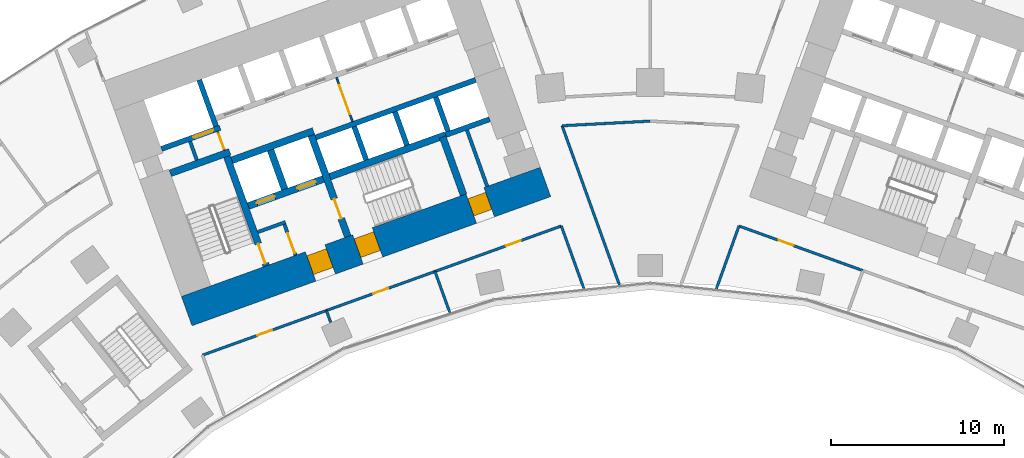
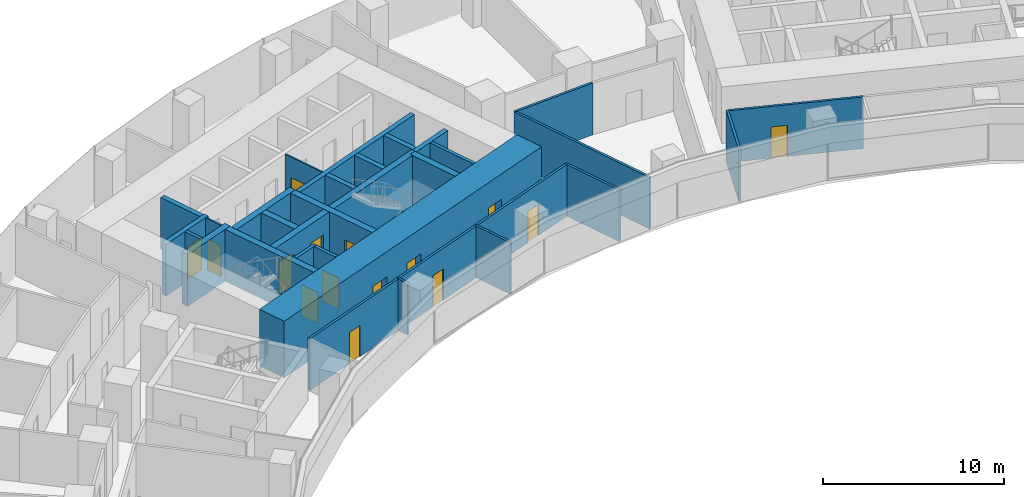
# One storey, part 15 of 21: 31 walls, 15 doors, 15 openings.
"""IFC4 building model written with IfcOpenShell, lengths in metres."""

from ifc_helpers import new_model, si_unit, direction, frame, frame_2d, origin, place, context, subcontext, project, spatial, rectangle, extrude, material, layer, layer_set, type_object, element, fill, save


model = new_model("IFC4")

# Units and contexts
model_context = context("Model", 3, precision=1e-05, world=origin(), true_north=direction((0.0, 1.0)))
body_context = subcontext(model_context, "Body", "Model", "MODEL_VIEW")
ifc_project = project(units=[si_unit("LENGTHUNIT", "METRE"), si_unit("AREAUNIT", "SQUARE_METRE"), si_unit("VOLUMEUNIT", "CUBIC_METRE"), si_unit("PLANEANGLEUNIT", "RADIAN"), si_unit("MASSUNIT", "GRAM", prefix="KILO")], contexts=[model_context])

# Site, building, storey
site_placement = place(None, origin())
site = spatial("IfcSite", under=ifc_project, at=site_placement, CompositionType="ELEMENT")
building_placement = place(site_placement, origin())
building = spatial("IfcBuilding", under=site, at=building_placement, Name="Stone Belt Terrace Tower", CompositionType="ELEMENT")
storey_placement = place(building_placement, frame((0.0, 0.0, 49.0)))
storey = spatial("IfcBuildingStorey", under=building, at=storey_placement, Name="L11", CompositionType="ELEMENT", Elevation=49.0)

# Wall, opening, door
ifc_material_1 = material(Name="Plasterboard partition")
ifc_layer_1 = layer(ifc_material_1, 0.10009765625)
ifc_layer_set_1 = layer_set([ifc_layer_1], Name="Core partition 100")
wall_type_1 = type_object("IfcWallType", Name="Core partition 100", PredefinedType="PARTITIONING", material=ifc_layer_set_1)
wall_1_placement = place(storey_placement, frame((-24.555908203125, 51.10400390625, 0.0), z_axis=(0.0, 0.0, 1.0), x_axis=(-0.338621735342, 0.94092258999, 0.0)))
wall_1 = element("IfcWall", 1, at=wall_1_placement, inside=storey, type_object=wall_type_1, Name="Core A wall", PredefinedType="PARTITIONING", context=body_context, shape_type="SweptSolid", body=[
    extrude(rectangle(XDim=1.14990234375, YDim=0.10009765625, at=frame_2d((0.574951171875, 0.0))), origin(), (0.0, 0.0, 1.0), 3.47998046875),
])
opening_1_placement = place(wall_1_placement, frame((0.050048828125, 0.0, 0.0)))
opening_1 = element("IfcOpeningElement", 2, at=opening_1_placement, cuts=wall_1, Name="Opening L11-C02", PredefinedType="OPENING", context=body_context, shape_type="SweptSolid", body=[
    extrude(rectangle(XDim=1.0, YDim=2.10009765625, at=frame_2d((0.5, 1.050048828125))), frame((0.0, 0.06005859375, 0.0), z_axis=(0.0, -1.0, 0.0), x_axis=(1.0, 0.0, 0.0)), (0.0, 0.0, 1.0), 0.1201171875),
])
ifc_material_2 = material(Name="Timber door leaf", Category="wood")
door_type_1 = type_object("IfcDoorType", Name="Core room door 1000", OperationType="SINGLE_SWING_LEFT", PredefinedType="DOOR", material=ifc_material_2)
door_1_placement = place(opening_1_placement, origin())
door_1 = element("IfcDoor", 3, at=door_1_placement, inside=storey, type_object=door_type_1, Name="Service lift lobby door core A", OperationType="SINGLE_SWING_LEFT", OverallHeight=2.10009765625, OverallWidth=1.0, PredefinedType="DOOR", context=body_context, shape_type="SweptSolid", body=[
    extrude(rectangle(XDim=1.0, YDim=2.10009765625, at=frame_2d((0.5, 1.050048828125))), frame((0.0, 0.02490234375, 0.0), z_axis=(0.0, -1.0, 0.0), x_axis=(1.0, 0.0, 0.0)), (0.0, 0.0, 1.0), 0.050048828125),
])
fill(opening_1, door_1)

wall_2_placement = place(storey_placement, frame((-17.17724609375, 52.749755859375, 0.0), z_axis=(0.0, 0.0, 1.0), x_axis=(-0.338546555931, 0.940949642365, 0.0)))
wall_2 = element("IfcWall", 4, at=wall_2_placement, inside=storey, type_object=wall_type_1, Name="Core A wall", PredefinedType="PARTITIONING", context=body_context, shape_type="SweptSolid", body=[
    extrude(rectangle(XDim=2.699951171875, YDim=0.10009765625, at=frame_2d((1.35009765625, 0.0))), origin(), (0.0, 0.0, 1.0), 3.47998046875),
])
opening_2_placement = place(wall_2_placement, frame((0.449951171875, 0.0, 0.0)))
opening_2 = element("IfcOpeningElement", 5, at=opening_2_placement, cuts=wall_2, Name="Opening L11-C03", PredefinedType="OPENING", context=body_context, shape_type="SweptSolid", body=[
    extrude(rectangle(XDim=1.800048828125, YDim=2.10009765625, at=frame_2d((0.89990234375, 1.050048828125))), frame((0.0, 0.06005859375, 0.0), z_axis=(0.0, -1.0, 0.0), x_axis=(1.0, 0.0, 0.0)), (0.0, 0.0, 1.0), 0.1201171875),
])
ifc_material_3 = material(Name="Glazed aluminium door leaf", Category="aluminium")
door_type_2 = type_object("IfcDoorType", Name="Lift lobby entrance door 1800", OperationType="DOUBLE_DOOR_SINGLE_SWING", PredefinedType="DOOR", material=ifc_material_3)
door_2_placement = place(opening_2_placement, origin())
door_2 = element("IfcDoor", 6, at=door_2_placement, inside=storey, type_object=door_type_2, Name="Lift lobby double door core A", OperationType="DOUBLE_DOOR_SINGLE_SWING", OverallHeight=2.10009765625, OverallWidth=1.800048828125, PredefinedType="DOOR", context=body_context, shape_type="SweptSolid", body=[
    extrude(rectangle(XDim=1.800048828125, YDim=2.10009765625, at=frame_2d((0.89990234375, 1.050048828125))), frame((0.0, 0.02490234375, 0.0), z_axis=(0.0, -1.0, 0.0), x_axis=(1.0, 0.0, 0.0)), (0.0, 0.0, 1.0), 0.050048828125),
])
fill(opening_2, door_2)

# Wall, openings, doors
ifc_material_4 = material(Name="Concrete B80", Category="concrete")
ifc_layer_2 = layer(ifc_material_4, 1.800048828125)
ifc_layer_set_2 = layer_set([ifc_layer_2], Name="Core wall 1800 B80")
wall_type_2 = type_object("IfcWallType", Name="Core wall 1800 B80", PredefinedType="SHEAR", material=ifc_layer_set_2)
wall_3_placement = place(storey_placement, frame((-26.739501953125, 41.815673828125, 0.0), z_axis=(0.0, 0.0, 1.0), x_axis=(0.940921642213, 0.338624368902, 0.0)))
wall_3 = element("IfcWall", 7, at=wall_3_placement, inside=storey, type_object=wall_type_2, Name="Core A wall concave L11", PredefinedType="SHEAR", context=body_context, shape_type="SweptSolid", body=[
    extrude(rectangle(XDim=22.0, YDim=1.800048828125, at=frame_2d((11.0, 0.0))), origin(), (0.0, 0.0, 1.0), 3.800048828125),
])
opening_3_placement = place(wall_3_placement, frame((7.60009765625, 0.0, 0.0)))
opening_3 = element("IfcOpeningElement", 8, at=opening_3_placement, cuts=wall_3, Name="Opening L11-C07", PredefinedType="OPENING", context=body_context, shape_type="SweptSolid", body=[
    extrude(rectangle(XDim=1.199951171875, YDim=2.10009765625, at=frame_2d((0.60009765625, 1.050048828125))), frame((0.0, 0.909912109375, 0.0), z_axis=(0.0, -1.0, 0.0), x_axis=(1.0, 0.0, 0.0)), (0.0, 0.0, 1.0), 1.820068359375),
])
opening_4_placement = place(wall_3_placement, frame((10.5, 0.0, 0.0)))
opening_4 = element("IfcOpeningElement", 9, at=opening_4_placement, cuts=wall_3, Name="Opening L11-C09", PredefinedType="OPENING", context=body_context, shape_type="SweptSolid", body=[
    extrude(rectangle(XDim=1.199951171875, YDim=2.10009765625, at=frame_2d((0.60009765625, 1.050048828125))), frame((0.0, 0.909912109375, 0.0), z_axis=(0.0, -1.0, 0.0), x_axis=(1.0, 0.0, 0.0)), (0.0, 0.0, 1.0), 1.820068359375),
])
opening_5_placement = place(wall_3_placement, frame((17.449951171875, 0.0, 0.0)))
opening_5 = element("IfcOpeningElement", 10, at=opening_5_placement, cuts=wall_3, Name="Opening L11-C11", PredefinedType="OPENING", context=body_context, shape_type="SweptSolid", body=[
    extrude(rectangle(XDim=1.10009765625, YDim=2.10009765625, at=frame_2d((0.550048828125, 1.050048828125))), frame((0.0, 0.909912109375, 0.0), z_axis=(0.0, -1.0, 0.0), x_axis=(1.0, 0.0, 0.0)), (0.0, 0.0, 1.0), 1.820068359375),
])
door_type_3 = type_object("IfcDoorType", Name="Core room door 1100", OperationType="SINGLE_SWING_LEFT", PredefinedType="DOOR", material=ifc_material_2)
door_3_placement = place(opening_5_placement, origin())
door_3 = element("IfcDoor", 11, at=door_3_placement, inside=storey, type_object=door_type_3, Name="Door to Communications riser room core A", OperationType="SINGLE_SWING_LEFT", OverallHeight=2.10009765625, OverallWidth=1.10009765625, PredefinedType="DOOR", context=body_context, shape_type="SweptSolid", body=[
    extrude(rectangle(XDim=1.10009765625, YDim=2.10009765625, at=frame_2d((0.550048828125, 1.050048828125))), frame((0.0, 0.60498046875, 0.0), z_axis=(0.0, -1.0, 0.0), x_axis=(1.0, 0.0, 0.0)), (0.0, 0.0, 1.0), 1.050048828125),
])
fill(opening_5, door_3)
ifc_material_5 = material(Name="Steel door leaf", Category="steel")
door_type_4 = type_object("IfcDoorType", Name="Fire-fighting lobby door 1200", OperationType="SINGLE_SWING_LEFT", PredefinedType="DOOR", material=ifc_material_5)
door_4_placement = place(opening_3_placement, origin())
door_4 = element("IfcDoor", 12, at=door_4_placement, inside=storey, type_object=door_type_4, Name="Fire-fighting lobby door core A", OperationType="SINGLE_SWING_LEFT", OverallHeight=2.10009765625, OverallWidth=1.199951171875, PredefinedType="DOOR", context=body_context, shape_type="SweptSolid", body=[
    extrude(rectangle(XDim=1.199951171875, YDim=2.10009765625, at=frame_2d((0.60009765625, 1.050048828125))), frame((0.0, 0.655029296875, 0.0), z_axis=(0.0, -1.0, 0.0), x_axis=(1.0, 0.0, 0.0)), (0.0, 0.0, 1.0), 1.14990234375),
])
fill(opening_3, door_4)
door_type_5 = type_object("IfcDoorType", Name="Stair door 1200", OperationType="SINGLE_SWING_LEFT", PredefinedType="DOOR", material=ifc_material_5)
door_5_placement = place(opening_4_placement, origin())
door_5 = element("IfcDoor", 13, at=door_5_placement, inside=storey, type_object=door_type_5, Name="Stair 2 exit door core A", OperationType="SINGLE_SWING_RIGHT", OverallHeight=2.10009765625, OverallWidth=1.199951171875, PredefinedType="DOOR", context=body_context, shape_type="SweptSolid", body=[
    extrude(rectangle(XDim=1.199951171875, YDim=2.10009765625, at=frame_2d((0.60009765625, 1.050048828125))), frame((0.0, 0.655029296875, 0.0), z_axis=(0.0, -1.0, 0.0), x_axis=(1.0, 0.0, 0.0)), (0.0, 0.0, 1.0), 1.14990234375),
])
fill(opening_4, door_5)

# Walls
ifc_layer_3 = layer(ifc_material_4, 0.39990234375)
ifc_layer_set_3 = layer_set([ifc_layer_3], Name="Fire-fighting lift shaft wall 400")
wall_type_3 = type_object("IfcWallType", Name="Fire-fighting lift shaft wall 400", PredefinedType="SHEAR", material=ifc_layer_set_3)
wall_4_placement = place(storey_placement, frame((-24.130615234375, 50.512939453125, 0.0), z_axis=(0.0, 0.0, 1.0), x_axis=(0.94091168377, 0.338652038744, 0.0)))
element("IfcWall", 14, at=wall_4_placement, inside=storey, type_object=wall_type_3, Name="Core A wall", PredefinedType="SHEAR", context=body_context, shape_type="SweptSolid", body=[
    extrude(rectangle(XDim=5.000244140625, YDim=0.39990234375, at=frame_2d((2.5, 0.0))), origin(), (0.0, 0.0, 1.0), 3.47998046875),
])
wall_5_placement = place(storey_placement, frame((-21.0859375, 48.845458984375, 0.0), z_axis=(0.0, 0.0, 1.0), x_axis=(-0.338629416206, 0.940919825745, 0.0)))
element("IfcWall", 15, at=wall_5_placement, inside=storey, type_object=wall_type_3, Name="Core A wall", PredefinedType="SHEAR", context=body_context, shape_type="SweptSolid", body=[
    extrude(rectangle(XDim=2.400146484375, YDim=0.39990234375, at=frame_2d((1.2001953125, 0.0))), origin(), (0.0, 0.0, 1.0), 3.47998046875),
])

# Wall, opening, door
ifc_layer_4 = layer(ifc_material_4, 0.300048828125)
ifc_layer_set_4 = layer_set([ifc_layer_4], Name="Lift shaft wall 300")
wall_type_4 = type_object("IfcWallType", Name="Lift shaft wall 300", PredefinedType="SHEAR", material=ifc_layer_set_4)
wall_6_placement = place(storey_placement, frame((-28.195068359375, 51.17578125, 0.0), z_axis=(0.0, 0.0, 1.0), x_axis=(0.940901243567, 0.338681044427, 0.0)))
wall_6 = element("IfcWall", 16, at=wall_6_placement, inside=storey, type_object=wall_type_4, Name="Core A wall", PredefinedType="SHEAR", context=body_context, shape_type="SweptSolid", body=[
    extrude(rectangle(XDim=3.599853515625, YDim=0.300048828125, at=frame_2d((1.7998046875, 0.0))), origin(), (0.0, 0.0, 1.0), 3.47998046875),
])
opening_6_placement = place(wall_6_placement, frame((1.969970703125, 0.0, 0.0)))
opening_6 = element("IfcOpeningElement", 17, at=opening_6_placement, cuts=wall_6, Name="Opening L11-LD09", PredefinedType="OPENING", context=body_context, shape_type="SweptSolid", body=[
    extrude(rectangle(XDim=1.199951171875, YDim=2.199951171875, at=frame_2d((0.60009765625, 1.10009765625))), frame((0.0, 0.159912109375, 0.0), z_axis=(0.0, -1.0, 0.0), x_axis=(1.0, 0.0, 0.0)), (0.0, 0.0, 1.0), 0.320068359375),
])
ifc_material_6 = material(Name="Stainless steel door leaf", Category="steel")
door_type_6 = type_object("IfcDoorType", Name="Landing door 1200", OperationType="SLIDING_TO_LEFT", PredefinedType="DOOR", material=ifc_material_6)
door_6_placement = place(opening_6_placement, origin())
door_6 = element("IfcDoor", 18, at=door_6_placement, inside=storey, type_object=door_type_6, Name="Landing door SV1 core A", OperationType="SLIDING_TO_LEFT", OverallHeight=2.199951171875, OverallWidth=1.199951171875, PredefinedType="DOOR", context=body_context, shape_type="SweptSolid", body=[
    extrude(rectangle(XDim=1.199951171875, YDim=2.199951171875, at=frame_2d((0.60009765625, 1.10009765625))), frame((0.0, 0.02490234375, 0.0), z_axis=(0.0, -1.0, 0.0), x_axis=(1.0, 0.0, 0.0)), (0.0, 0.0, 1.0), 0.050048828125),
])
fill(opening_6, door_6)

# Walls
wall_7_placement = place(storey_placement, frame((-25.046875, 52.46826171875, 0.0), z_axis=(0.0, 0.0, 1.0), x_axis=(-0.338549588058, 0.940948551423, 0.0)))
element("IfcWall", 19, at=wall_7_placement, inside=storey, type_object=wall_type_4, Name="Core A wall", PredefinedType="SHEAR", context=body_context, shape_type="SweptSolid", body=[
    extrude(rectangle(XDim=2.849853515625, YDim=0.300048828125, at=frame_2d((1.4248046875, 0.0))), origin(), (0.0, 0.0, 1.0), 3.47998046875),
])
wall_8_placement = place(storey_placement, frame((-19.29052734375, 51.829833984375, 0.0), z_axis=(0.0, 0.0, 1.0), x_axis=(0.940925833398, 0.338612722803, 0.0)))
element("IfcWall", 20, at=wall_8_placement, inside=storey, type_object=wall_type_4, Name="Core A wall", PredefinedType="SHEAR", context=body_context, shape_type="SweptSolid", body=[
    extrude(rectangle(XDim=9.7998046875, YDim=0.300048828125, at=frame_2d((4.89990234375, 0.0))), origin(), (0.0, 0.0, 1.0), 3.47998046875),
])
for number, where, z_axis, x_axis, name in (
    (21, (-16.38134765625, 50.53857421875, 0.0), (0.0, 0.0, 1.0), (-0.338681515556, 0.940901073982, 0.0), "Core A wall"),
    (22, (-14.029052734375, 51.38525390625, 0.0), (0.0, 0.0, 1.0), (-0.338681515556, 0.940901073982, 0.0), "Core A wall"),
):
    element("IfcWall", number, at=place(storey_placement, frame(where, z_axis=z_axis, x_axis=x_axis)), inside=storey, type_object=wall_type_4, Name=name, PredefinedType="SHEAR", context=body_context, shape_type="SweptSolid", body=[
        extrude(rectangle(XDim=2.050048828125, YDim=0.300048828125, at=frame_2d((1.02490234375, 0.0))), origin(), (0.0, 0.0, 1.0), 3.47998046875),
    ])
wall_9_placement = place(storey_placement, frame((-11.797119140625, 51.975830078125, 0.0), z_axis=(0.0, 0.0, 1.0), x_axis=(0.940910465161, 0.33865542451, 0.0)))
element("IfcWall", 23, at=wall_9_placement, inside=storey, type_object=wall_type_4, Name="Core A wall", PredefinedType="SHEAR", context=body_context, shape_type="SweptSolid", body=[
    extrude(rectangle(XDim=2.69970703125, YDim=0.300048828125, at=frame_2d((1.349853515625, 0.0))), origin(), (0.0, 0.0, 1.0), 3.47998046875),
])
wall_10_placement = place(storey_placement, frame((-11.659912109375, 52.184814453125, 0.0), z_axis=(0.0, 0.0, 1.0), x_axis=(-0.338670064856, 0.940905195634, 0.0)))
element("IfcWall", 24, at=wall_10_placement, inside=storey, type_object=wall_type_4, Name="Core A wall", PredefinedType="SHEAR", context=body_context, shape_type="SweptSolid", body=[
    extrude(rectangle(XDim=2.099853515625, YDim=0.300048828125, at=frame_2d((1.0498046875, 0.0))), origin(), (0.0, 0.0, 1.0), 3.47998046875),
])
ifc_material_7 = material(Name="Gypsum board partition")
ifc_layer_5 = layer(ifc_material_7, 0.14990234375)
ifc_layer_set_5 = layer_set([ifc_layer_5], Name="PARTITION 150 EI 60")
wall_type_5 = type_object("IfcWallType", Name="PARTITION 150 EI 60", PredefinedType="PARTITIONING", material=ifc_layer_set_5)
wall_11_placement = place(storey_placement, frame((-3.8193359375, 43.0986328125, 0.0), z_axis=(0.0, 0.0, 1.0), x_axis=(-0.338714989495, 0.940889024217, 0.0)))
element("IfcWall", 25, at=wall_11_placement, inside=storey, type_object=wall_type_5, Name="L11/wall/i006", PredefinedType="PARTITIONING", context=body_context, shape_type="SweptSolid", body=[
    extrude(rectangle(XDim=3.860595703125, YDim=0.14990234375, at=frame_2d((1.93017578125, 0.0))), origin(), (0.0, 0.0, 1.0), 3.47998046875),
])
wall_12_placement = place(storey_placement, frame((-5.0830078125, 52.514892578125, 0.0), z_axis=(0.0, 0.0, 1.0), x_axis=(0.338660235858, -0.940908733432, 0.0)))
element("IfcWall", 26, at=wall_12_placement, inside=storey, type_object=wall_type_5, Name="L11/wall/i008", PredefinedType="PARTITIONING", context=body_context, shape_type="SweptSolid", body=[
    extrude(rectangle(XDim=9.779052734375, YDim=0.14990234375, at=frame_2d((4.8896484375, 0.0))), origin(), (0.0, 0.0, 1.0), 3.47998046875),
])

# Wall, opening, door
wall_13_placement = place(storey_placement, frame((-18.6708984375, 41.85009765625, 0.0), z_axis=(0.0, 0.0, 1.0), x_axis=(-0.940898463148, -0.338688768702, 0.0)))
wall_13 = element("IfcWall", 27, at=wall_13_placement, inside=storey, type_object=wall_type_5, Name="L11/wall/i011", PredefinedType="PARTITIONING", context=body_context, shape_type="SweptSolid", body=[
    extrude(rectangle(XDim=7.603515625, YDim=0.14990234375, at=frame_2d((3.8017578125, 0.0))), origin(), (0.0, 0.0, 1.0), 3.47998046875),
])
opening_7_placement = place(wall_13_placement, frame((3.3515625, 0.0, 0.0)))
opening_7 = element("IfcOpeningElement", 28, at=opening_7_placement, cuts=wall_13, Name="Opening D-A3-01", PredefinedType="OPENING", context=body_context, shape_type="SweptSolid", body=[
    extrude(rectangle(XDim=0.89990234375, YDim=2.10009765625, at=frame_2d((0.449951171875, 1.050048828125))), frame((0.0, 0.0849609375, 0.0), z_axis=(0.0, -1.0, 0.0), x_axis=(1.0, 0.0, 0.0)), (0.0, 0.0, 1.0), 0.169921875),
])
door_type_7 = type_object("IfcDoorType", Name="OFFICE DOOR 900 X 2100", OperationType="NOTDEFINED", PredefinedType="DOOR", material=ifc_material_2)
door_7_placement = place(opening_7_placement, origin())
door_7 = element("IfcDoor", 29, at=door_7_placement, inside=storey, type_object=door_type_7, Name="L11/door/i01", OperationType="SINGLE_SWING_RIGHT", OverallHeight=2.10009765625, OverallWidth=0.89990234375, PredefinedType="DOOR", context=body_context, shape_type="SweptSolid", body=[
    extrude(rectangle(XDim=0.89990234375, YDim=2.10009765625, at=frame_2d((0.449951171875, 1.050048828125))), frame((0.0, 0.02490234375, 0.0), z_axis=(0.0, -1.0, 0.0), x_axis=(1.0, 0.0, 0.0)), (0.0, 0.0, 1.0), 0.050048828125),
])
fill(opening_7, door_7)

wall_14_placement = place(storey_placement, frame((-12.406982421875, 44.10400390625, 0.0), z_axis=(0.0, 0.0, 1.0), x_axis=(-0.940951787008, -0.338540595092, 0.0)))
wall_14 = element("IfcWall", 30, at=wall_14_placement, inside=storey, type_object=wall_type_5, Name="L11/wall/i012", PredefinedType="PARTITIONING", context=body_context, shape_type="SweptSolid", body=[
    extrude(rectangle(XDim=6.669921875, YDim=0.14990234375, at=frame_2d((3.3349609375, 0.0))), origin(), (0.0, 0.0, 1.0), 3.47998046875),
])
opening_8_placement = place(wall_14_placement, frame((2.885009765625, 0.0, 0.0)))
opening_8 = element("IfcOpeningElement", 31, at=opening_8_placement, cuts=wall_14, Name="Opening D-A3-02", PredefinedType="OPENING", context=body_context, shape_type="SweptSolid", body=[
    extrude(rectangle(XDim=0.89990234375, YDim=2.10009765625, at=frame_2d((0.449951171875, 1.050048828125))), frame((0.0, 0.0849609375, 0.0), z_axis=(0.0, -1.0, 0.0), x_axis=(1.0, 0.0, 0.0)), (0.0, 0.0, 1.0), 0.169921875),
])
door_8_placement = place(opening_8_placement, origin())
door_8 = element("IfcDoor", 32, at=door_8_placement, inside=storey, type_object=door_type_7, Name="L11/door/i02", OperationType="SINGLE_SWING_RIGHT", OverallHeight=2.10009765625, OverallWidth=0.89990234375, PredefinedType="DOOR", context=body_context, shape_type="SweptSolid", body=[
    extrude(rectangle(XDim=0.89990234375, YDim=2.10009765625, at=frame_2d((0.449951171875, 1.050048828125))), frame((0.0, 0.02490234375, 0.0), z_axis=(0.0, -1.0, 0.0), x_axis=(1.0, 0.0, 0.0)), (0.0, 0.0, 1.0), 0.050048828125),
])
fill(opening_8, door_8)

wall_15_placement = place(storey_placement, frame((-5.125, 46.72509765625, 0.0), z_axis=(0.0, 0.0, 1.0), x_axis=(-0.940921131887, -0.338625786921, 0.0)))
wall_15 = element("IfcWall", 33, at=wall_15_placement, inside=storey, type_object=wall_type_5, Name="L11/wall/i013", PredefinedType="PARTITIONING", context=body_context, shape_type="SweptSolid", body=[
    extrude(rectangle(XDim=7.751953125, YDim=0.14990234375, at=frame_2d((3.8759765625, 0.0))), origin(), (0.0, 0.0, 1.0), 3.47998046875),
])
opening_9_placement = place(wall_15_placement, frame((2.48828125, 0.0, 0.0)))
opening_9 = element("IfcOpeningElement", 34, at=opening_9_placement, cuts=wall_15, Name="Opening D-A3-03", PredefinedType="OPENING", context=body_context, shape_type="SweptSolid", body=[
    extrude(rectangle(XDim=0.89990234375, YDim=2.10009765625, at=frame_2d((0.449951171875, 1.050048828125))), frame((0.0, 0.0849609375, 0.0), z_axis=(0.0, -1.0, 0.0), x_axis=(1.0, 0.0, 0.0)), (0.0, 0.0, 1.0), 0.169921875),
])
door_9_placement = place(opening_9_placement, origin())
door_9 = element("IfcDoor", 35, at=door_9_placement, inside=storey, type_object=door_type_7, Name="L11/door/i03", OperationType="SINGLE_SWING_LEFT", OverallHeight=2.10009765625, OverallWidth=0.89990234375, PredefinedType="DOOR", context=body_context, shape_type="SweptSolid", body=[
    extrude(rectangle(XDim=0.89990234375, YDim=2.10009765625, at=frame_2d((0.449951171875, 1.050048828125))), frame((0.0, 0.02490234375, 0.0), z_axis=(0.0, -1.0, 0.0), x_axis=(1.0, 0.0, 0.0)), (0.0, 0.0, 1.0), 0.050048828125),
])
fill(opening_9, door_9)

# Walls
wall_16_placement = place(storey_placement, frame((-18.677001953125, 41.847900390625, 0.0), z_axis=(0.0, 0.0, 1.0), x_axis=(0.338755063211, -0.94087459693, 0.0)))
element("IfcWall", 36, at=wall_16_placement, inside=storey, type_object=wall_type_5, Name="L11/wall/i014", PredefinedType="PARTITIONING", context=body_context, shape_type="SweptSolid", body=[
    extrude(rectangle(XDim=0.728515625, YDim=0.14990234375, at=frame_2d((0.3642578125, 0.0))), origin(), (0.0, 0.0, 1.0), 3.47998046875),
])
wall_17_placement = place(storey_placement, frame((-12.4130859375, 44.10205078125, 0.0), z_axis=(0.0, 0.0, 1.0), x_axis=(0.338643961711, -0.940914590809, 0.0)))
element("IfcWall", 37, at=wall_17_placement, inside=storey, type_object=wall_type_5, Name="L11/wall/i015", PredefinedType="PARTITIONING", context=body_context, shape_type="SweptSolid", body=[
    extrude(rectangle(XDim=2.51904296875, YDim=0.14990234375, at=frame_2d((1.259521484375, 0.0))), origin(), (0.0, 0.0, 1.0), 3.47998046875),
])
wall_18_placement = place(storey_placement, frame((5.126953125, 46.73095703125, 0.0), z_axis=(0.0, 0.0, 1.0), x_axis=(-0.338714989495, -0.940889024217, 0.0)))
element("IfcWall", 38, at=wall_18_placement, inside=storey, type_object=wall_type_5, Name="L11/wall/i017", PredefinedType="PARTITIONING", context=body_context, shape_type="SweptSolid", body=[
    extrude(rectangle(XDim=3.860595703125, YDim=0.14990234375, at=frame_2d((1.93017578125, 0.0))), origin(), (0.0, 0.0, 1.0), 3.47998046875),
])

# Wall, opening, door
wall_19_placement = place(storey_placement, frame((12.279052734375, 44.14990234375, 0.0), z_axis=(0.0, 0.0, 1.0), x_axis=(-0.940898463148, 0.338688768702, 0.0)))
wall_19 = element("IfcWall", 39, at=wall_19_placement, inside=storey, type_object=wall_type_5, Name="L11/wall/i028", PredefinedType="PARTITIONING", context=body_context, shape_type="SweptSolid", body=[
    extrude(rectangle(XDim=7.603515625, YDim=0.14990234375, at=frame_2d((3.8017578125, 0.0))), origin(), (0.0, 0.0, 1.0), 3.47998046875),
])
opening_10_placement = place(wall_19_placement, frame((4.26708984375, 0.0, 0.0)))
opening_10 = element("IfcOpeningElement", 40, at=opening_10_placement, cuts=wall_19, Name="Opening D-A3-06", PredefinedType="OPENING", context=body_context, shape_type="SweptSolid", body=[
    extrude(rectangle(XDim=0.89990234375, YDim=2.10009765625, at=frame_2d((0.449951171875, 1.050048828125))), frame((0.0, 0.0849609375, 0.0), z_axis=(0.0, -1.0, 0.0), x_axis=(1.0, 0.0, 0.0)), (0.0, 0.0, 1.0), 0.169921875),
])
door_10_placement = place(opening_10_placement, origin())
door_10 = element("IfcDoor", 41, at=door_10_placement, inside=storey, type_object=door_type_7, Name="L11/door/i06", OperationType="SINGLE_SWING_RIGHT", OverallHeight=2.10009765625, OverallWidth=0.89990234375, PredefinedType="DOOR", context=body_context, shape_type="SweptSolid", body=[
    extrude(rectangle(XDim=0.89990234375, YDim=2.10009765625, at=frame_2d((0.449951171875, 1.050048828125))), frame((0.0, 0.02490234375, 0.0), z_axis=(0.0, -1.0, 0.0), x_axis=(1.0, 0.0, 0.0)), (0.0, 0.0, 1.0), 0.050048828125),
])
fill(opening_10, door_10)

# Walls
wall_20_placement = place(storey_placement, frame((0.0, 52.77490234375, 0.0), z_axis=(0.0, 0.0, 1.0), x_axis=(-0.99863382154, -0.052254095313, 0.0)))
element("IfcWall", 42, at=wall_20_placement, inside=storey, type_object=wall_type_5, Name="L11/wall/i083", PredefinedType="PARTITIONING", context=body_context, shape_type="SweptSolid", body=[
    extrude(rectangle(XDim=5.087890625, YDim=0.14990234375, at=frame_2d((2.5439453125, 0.0))), origin(), (0.0, 0.0, 1.0), 3.47998046875),
])
ifc_material_8 = material(Name="Concrete masonry block", Category="masonry")
ifc_layer_6 = layer(ifc_material_8, 0.199951171875)
ifc_layer_set_6 = layer_set([ifc_layer_6], Name="Rated lobby wall 200")
wall_type_6 = type_object("IfcWallType", Name="Rated lobby wall 200", PredefinedType="PARTITIONING", material=ifc_layer_set_6)
wall_21_placement = place(storey_placement, frame((-26.1552734375, 50.5283203125, 0.0), z_axis=(0.0, 0.0, 1.0), x_axis=(-0.338621735342, 0.94092258999, 0.0)))
element("IfcWall", 43, at=wall_21_placement, inside=storey, type_object=wall_type_6, Name="Core A wall", PredefinedType="PARTITIONING", context=body_context, shape_type="SweptSolid", body=[
    extrude(rectangle(XDim=1.14990234375, YDim=0.199951171875, at=frame_2d((0.574951171875, 0.0))), origin(), (0.0, 0.0, 1.0), 3.47998046875),
])
wall_22_placement = place(storey_placement, frame((-22.640625, 46.373046875, 0.0), z_axis=(0.0, 0.0, 1.0), x_axis=(0.940966110313, 0.338500781747, 0.0)))
element("IfcWall", 44, at=wall_22_placement, inside=storey, type_object=wall_type_6, Name="Core A wall", PredefinedType="PARTITIONING", context=body_context, shape_type="SweptSolid", body=[
    extrude(rectangle(XDim=1.699951171875, YDim=0.199951171875, at=frame_2d((0.85009765625, 0.0))), origin(), (0.0, 0.0, 1.0), 3.47998046875),
])

# Wall, opening, door
wall_23_placement = place(storey_placement, frame((-20.4580078125, 45.032958984375, 0.0), z_axis=(0.0, 0.0, 1.0), x_axis=(-0.338573865316, 0.940939816208, 0.0)))
wall_23 = element("IfcWall", 45, at=wall_23_placement, inside=storey, type_object=wall_type_6, Name="Core A wall", PredefinedType="PARTITIONING", context=body_context, shape_type="SweptSolid", body=[
    extrude(rectangle(XDim=1.900146484375, YDim=0.199951171875, at=frame_2d((0.9501953125, 0.0))), origin(), (0.0, 0.0, 1.0), 3.47998046875),
])
opening_11_placement = place(wall_23_placement, frame((0.14990234375, 0.0, 0.0)))
opening_11 = element("IfcOpeningElement", 46, at=opening_11_placement, cuts=wall_23, Name="Opening L11-C06", PredefinedType="OPENING", context=body_context, shape_type="SweptSolid", body=[
    extrude(rectangle(XDim=1.199951171875, YDim=2.10009765625, at=frame_2d((0.60009765625, 1.050048828125))), frame((0.0, 0.10986328125, 0.0), z_axis=(0.0, -1.0, 0.0), x_axis=(1.0, 0.0, 0.0)), (0.0, 0.0, 1.0), 0.219970703125),
])
door_11_placement = place(opening_11_placement, origin())
door_11 = element("IfcDoor", 47, at=door_11_placement, inside=storey, type_object=door_type_5, Name="Stair airlock door core A", OperationType="SINGLE_SWING_LEFT", OverallHeight=2.10009765625, OverallWidth=1.199951171875, PredefinedType="DOOR", context=body_context, shape_type="SweptSolid", body=[
    extrude(rectangle(XDim=1.199951171875, YDim=2.10009765625, at=frame_2d((0.60009765625, 1.050048828125))), frame((0.0, 0.02490234375, 0.0), z_axis=(0.0, -1.0, 0.0), x_axis=(1.0, 0.0, 0.0)), (0.0, 0.0, 1.0), 0.050048828125),
])
fill(opening_11, door_11)

# Walls
wall_24_placement = place(storey_placement, frame((-9.402099609375, 49.01171875, 0.0), z_axis=(0.0, 0.0, 1.0), x_axis=(-0.338599189079, 0.940930703695, 0.0)))
element("IfcWall", 48, at=wall_24_placement, inside=storey, type_object=wall_type_6, Name="Core A wall", PredefinedType="PARTITIONING", context=body_context, shape_type="SweptSolid", body=[
    extrude(rectangle(XDim=3.4501953125, YDim=0.199951171875, at=frame_2d((1.72509765625, 0.0))), origin(), (0.0, 0.0, 1.0), 3.47998046875),
])
ifc_layer_7 = layer(ifc_material_4, 0.39990234375)
ifc_layer_set_7 = layer_set([ifc_layer_7], Name="Stair enclosure wall 400")
wall_type_7 = type_object("IfcWallType", Name="Stair enclosure wall 400", PredefinedType="SHEAR", material=ifc_layer_set_7)
wall_25_placement = place(storey_placement, frame((-27.687255859375, 49.764404296875, 0.0), z_axis=(0.0, 0.0, 1.0), x_axis=(0.940918954884, 0.338631835981, 0.0)))
element("IfcWall", 49, at=wall_25_placement, inside=storey, type_object=wall_type_7, Name="Core A wall", PredefinedType="SHEAR", context=body_context, shape_type="SweptSolid", body=[
    extrude(rectangle(XDim=3.650146484375, YDim=0.39990234375, at=frame_2d((1.8251953125, 0.0))), origin(), (0.0, 0.0, 1.0), 3.47998046875),
])

# Wall, opening, door
wall_26_placement = place(storey_placement, frame((-22.151611328125, 44.42333984375, 0.0), z_axis=(0.0, 0.0, 1.0), x_axis=(-0.338625272931, 0.940921316866, 0.0)))
wall_26 = element("IfcWall", 50, at=wall_26_placement, inside=storey, type_object=wall_type_7, Name="Core A wall", PredefinedType="SHEAR", context=body_context, shape_type="SweptSolid", body=[
    extrude(rectangle(XDim=6.699951171875, YDim=0.39990234375, at=frame_2d((3.35009765625, 0.0))), origin(), (0.0, 0.0, 1.0), 3.47998046875),
])
opening_12_placement = place(wall_26_placement, frame((0.14990234375, 0.0, 0.0)))
opening_12 = element("IfcOpeningElement", 51, at=opening_12_placement, cuts=wall_26, Name="Opening L11-C05", PredefinedType="OPENING", context=body_context, shape_type="SweptSolid", body=[
    extrude(rectangle(XDim=1.199951171875, YDim=2.10009765625, at=frame_2d((0.60009765625, 1.050048828125))), frame((0.0, 0.2099609375, 0.0), z_axis=(0.0, -1.0, 0.0), x_axis=(1.0, 0.0, 0.0)), (0.0, 0.0, 1.0), 0.419921875),
])
door_12_placement = place(opening_12_placement, origin())
door_12 = element("IfcDoor", 52, at=door_12_placement, inside=storey, type_object=door_type_5, Name="Stair 1 door core A", OperationType="SINGLE_SWING_LEFT", OverallHeight=2.10009765625, OverallWidth=1.199951171875, PredefinedType="DOOR", context=body_context, shape_type="SweptSolid", body=[
    extrude(rectangle(XDim=1.199951171875, YDim=2.10009765625, at=frame_2d((0.60009765625, 1.050048828125))), frame((0.0, 0.02490234375, 0.0), z_axis=(0.0, -1.0, 0.0), x_axis=(1.0, 0.0, 0.0)), (0.0, 0.0, 1.0), 0.050048828125),
])
fill(opening_12, door_12)

# Wall, openings, doors
wall_27_placement = place(storey_placement, frame((-23.182373046875, 47.87841796875, 0.0), z_axis=(0.0, 0.0, 1.0), x_axis=(0.940921101762, 0.338625870628, 0.0)))
wall_27 = element("IfcWall", 53, at=wall_27_placement, inside=storey, type_object=wall_type_7, Name="Core A wall", PredefinedType="SHEAR", context=body_context, shape_type="SweptSolid", body=[
    extrude(rectangle(XDim=12.10009765625, YDim=0.39990234375, at=frame_2d((6.050048828125, 0.0))), origin(), (0.0, 0.0, 1.0), 3.47998046875),
])
opening_13_placement = place(wall_27_placement, frame((0.52001953125, 0.0, 0.0)))
opening_13 = element("IfcOpeningElement", 54, at=opening_13_placement, cuts=wall_27, Name="Opening L11-LD07", PredefinedType="OPENING", context=body_context, shape_type="SweptSolid", body=[
    extrude(rectangle(XDim=1.10009765625, YDim=2.199951171875, at=frame_2d((0.550048828125, 1.10009765625))), frame((0.0, 0.2099609375, 0.0), z_axis=(0.0, -1.0, 0.0), x_axis=(1.0, 0.0, 0.0)), (0.0, 0.0, 1.0), 0.419921875),
])
opening_14_placement = place(wall_27_placement, frame((3.02001953125, 0.0, 0.0)))
opening_14 = element("IfcOpeningElement", 55, at=opening_14_placement, cuts=wall_27, Name="Opening L11-LD08", PredefinedType="OPENING", context=body_context, shape_type="SweptSolid", body=[
    extrude(rectangle(XDim=1.10009765625, YDim=2.199951171875, at=frame_2d((0.550048828125, 1.10009765625))), frame((0.0, 0.2099609375, 0.0), z_axis=(0.0, -1.0, 0.0), x_axis=(1.0, 0.0, 0.0)), (0.0, 0.0, 1.0), 0.419921875),
])
door_type_8 = type_object("IfcDoorType", Name="Landing door 1100", OperationType="SLIDING_TO_LEFT", PredefinedType="DOOR", material=ifc_material_6)
door_13_placement = place(opening_13_placement, origin())
door_13 = element("IfcDoor", 56, at=door_13_placement, inside=storey, type_object=door_type_8, Name="Landing door FF1 core A", OperationType="SLIDING_TO_LEFT", OverallHeight=2.199951171875, OverallWidth=1.10009765625, PredefinedType="DOOR", context=body_context, shape_type="SweptSolid", body=[
    extrude(rectangle(XDim=1.10009765625, YDim=2.199951171875, at=frame_2d((0.550048828125, 1.10009765625))), frame((0.0, 0.02490234375, 0.0), z_axis=(0.0, -1.0, 0.0), x_axis=(1.0, 0.0, 0.0)), (0.0, 0.0, 1.0), 0.050048828125),
])
fill(opening_13, door_13)
door_14_placement = place(opening_14_placement, origin())
door_14 = element("IfcDoor", 57, at=door_14_placement, inside=storey, type_object=door_type_8, Name="Landing door FF2 core A", OperationType="SLIDING_TO_LEFT", OverallHeight=2.199951171875, OverallWidth=1.10009765625, PredefinedType="DOOR", context=body_context, shape_type="SweptSolid", body=[
    extrude(rectangle(XDim=1.10009765625, YDim=2.199951171875, at=frame_2d((0.550048828125, 1.10009765625))), frame((0.0, 0.02490234375, 0.0), z_axis=(0.0, -1.0, 0.0), x_axis=(1.0, 0.0, 0.0)), (0.0, 0.0, 1.0), 0.050048828125),
])
fill(opening_14, door_14)

# Wall, opening, door
wall_28_placement = place(storey_placement, frame((-17.447021484375, 46.116455078125, 0.0), z_axis=(0.0, 0.0, 1.0), x_axis=(-0.33860791464, 0.940927563707, 0.0)))
wall_28 = element("IfcWall", 58, at=wall_28_placement, inside=storey, type_object=wall_type_7, Name="Core A wall", PredefinedType="SHEAR", context=body_context, shape_type="SweptSolid", body=[
    extrude(rectangle(XDim=6.199951171875, YDim=0.39990234375, at=frame_2d((3.10009765625, 0.0))), origin(), (0.0, 0.0, 1.0), 3.47998046875),
])
opening_15_placement = place(wall_28_placement, frame((1.10009765625, 0.0, 0.0)))
opening_15 = element("IfcOpeningElement", 59, at=opening_15_placement, cuts=wall_28, Name="Opening L11-C08", PredefinedType="OPENING", context=body_context, shape_type="SweptSolid", body=[
    extrude(rectangle(XDim=1.199951171875, YDim=2.10009765625, at=frame_2d((0.60009765625, 1.050048828125))), frame((0.0, 0.2099609375, 0.0), z_axis=(0.0, -1.0, 0.0), x_axis=(1.0, 0.0, 0.0)), (0.0, 0.0, 1.0), 0.419921875),
])
door_15_placement = place(opening_15_placement, origin())
door_15 = element("IfcDoor", 60, at=door_15_placement, inside=storey, type_object=door_type_5, Name="Stair 2 door core A", OperationType="SINGLE_SWING_LEFT", OverallHeight=2.10009765625, OverallWidth=1.199951171875, PredefinedType="DOOR", context=body_context, shape_type="SweptSolid", body=[
    extrude(rectangle(XDim=1.199951171875, YDim=2.10009765625, at=frame_2d((0.60009765625, 1.050048828125))), frame((0.0, 0.02490234375, 0.0), z_axis=(0.0, -1.0, 0.0), x_axis=(1.0, 0.0, 0.0)), (0.0, 0.0, 1.0), 0.050048828125),
])
fill(opening_15, door_15)

# Wall
wall_29_placement = place(storey_placement, frame((-10.766357421875, 48.520751953125, 0.0), z_axis=(0.0, 0.0, 1.0), x_axis=(-0.338626928157, 0.94092072117, 0.0)))
element("IfcWall", 61, at=wall_29_placement, inside=storey, type_object=wall_type_7, Name="Core A wall", PredefinedType="SHEAR", context=body_context, shape_type="SweptSolid", body=[
    extrude(rectangle(XDim=3.550048828125, YDim=0.39990234375, at=frame_2d((1.77490234375, 0.0))), origin(), (0.0, 0.0, 1.0), 3.47998046875),
])

save(model, "model.ifc")
